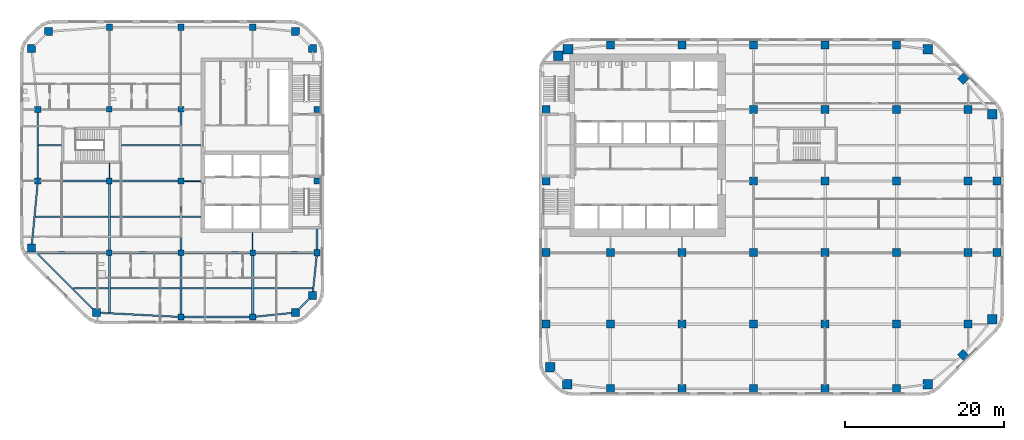
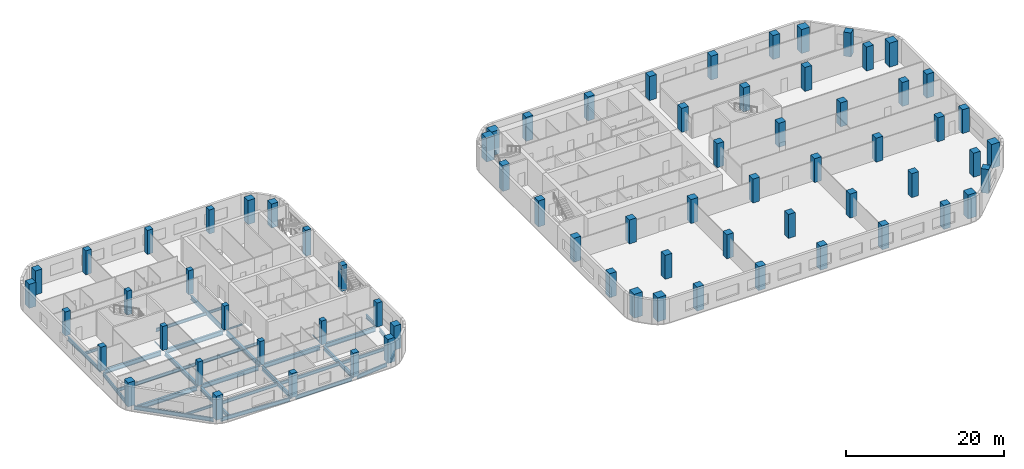
# One storey, part 1 of 15: 71 columns, 34 beams.
"""IFC4 building model written with IfcOpenShell, lengths in metres."""

from ifc_helpers import new_model, si_unit, direction, frame, origin, origin_2d, place, context, subcontext, project, spatial, rectangle, i_section, extrude, material, material_profile, profile_set, type_object, element, save


model = new_model("IFC4")

# Units and contexts
model_context = context("Model", 3, precision=1e-05, world=origin(), true_north=direction((0.0, 1.0)))
body_context = subcontext(model_context, "Body", "Model", "MODEL_VIEW")
ifc_project = project(units=[si_unit("LENGTHUNIT", "METRE"), si_unit("AREAUNIT", "SQUARE_METRE"), si_unit("VOLUMEUNIT", "CUBIC_METRE"), si_unit("PLANEANGLEUNIT", "RADIAN"), si_unit("MASSUNIT", "GRAM", prefix="KILO")], contexts=[model_context])

# Site, building, storey
site_placement = place(None, origin())
site = spatial("IfcSite", under=ifc_project, at=site_placement, CompositionType="ELEMENT")
building_placement = place(site_placement, origin())
building = spatial("IfcBuilding", under=site, at=building_placement, Name="Cinnabar Reach Civic Tower", CompositionType="ELEMENT")
storey_placement = place(building_placement, frame((0.0, 0.0, 91.0)))
storey = spatial("IfcBuildingStorey", under=building, at=storey_placement, Name="L21", CompositionType="ELEMENT", Elevation=91.0)

# Columns
ifc_material_1 = material(Name="Concrete C70", Category="concrete")
ifc_material_profile_1 = material_profile(ifc_material_1, rectangle(XDim=1.0, YDim=1.0, at=origin_2d()), Name="RC1000")
ifc_profile_set_1 = profile_set([ifc_material_profile_1], Name="Concrete C70")
column_type_1 = type_object("IfcColumnType", Name="RC1000 column R 180", PredefinedType="COLUMN", material=ifc_profile_set_1)
for number, where, z_axis, x_axis, name in (
    (1, (-55.6481, 10.4531, 0.0), (0.0, 0.0, 1.0), (1.0, 0.0, 0.0), "Column T2-Z2-CC0"),
    (2, (-30.6019, 10.4531, 0.0), (0.0, 0.0, 1.0), (1.0, 0.0, 0.0), "Column T2-Z2-CC1"),
    (3, (-28.4531, 12.6019, 0.0), (0.0, 0.0, 1.0), (1.0, 0.0, 0.0), "Column T2-Z2-CC2"),
    (4, (-28.4531, 43.6481, 0.0), (0.0, 0.0, 1.0), (1.0, 0.0, 0.0), "Column T2-Z2-CC3"),
    (5, (-30.6019, 45.7969, 0.0), (0.0, 0.0, 1.0), (1.0, 0.0, 0.0), "Column T2-Z2-CC4"),
    (6, (-61.6481, 45.7969, 0.0), (0.0, 0.0, 1.0), (1.0, 0.0, 0.0), "Column T2-Z2-CC5"),
    (7, (-63.7969, 43.6481, 0.0), (0.0, 0.0, 1.0), (1.0, 0.0, 0.0), "Column T2-Z2-CC6"),
    (8, (-63.7969, 18.6019, 0.0), (0.0, 0.0, 1.0), (1.0, 0.0, 0.0), "Column T2-Z2-CC7"),
):
    element("IfcColumn", number, at=place(storey_placement, frame(where, z_axis=z_axis, x_axis=x_axis)), inside=storey, type_object=column_type_1, Name=name, PredefinedType="COLUMN", context=body_context, shape_type="SweptSolid", body=[
        extrude(rectangle(XDim=1.0, YDim=1.0, at=origin_2d()), origin(), (0.0, 0.0, 1.0), 3.7),
    ])
ifc_material_profile_2 = material_profile(ifc_material_1, rectangle(XDim=1.0, YDim=1.0, at=origin_2d()), Name="RC1000")
ifc_profile_set_2 = profile_set([ifc_material_profile_2], Name="Concrete C70")
column_type_2 = type_object("IfcColumnType", Name="RC1000 column R 240", PredefinedType="COLUMN", material=ifc_profile_set_2)
for number, where, z_axis, x_axis, name in (
    (9, (9.0, 0.9, 0.0), (0.0, 0.0, 1.0), (1.0, 0.0, 0.0), "Column T1-Z1-F0-1"),
    (10, (18.0, 0.9, 0.0), (0.0, 0.0, 1.0), (1.0, 0.0, 0.0), "Column T1-Z1-F0-2"),
    (11, (27.0, 0.9, 0.0), (0.0, 0.0, 1.0), (1.0, 0.0, 0.0), "Column T1-Z1-F0-3"),
    (12, (36.0, 0.9, 0.0), (0.0, 0.0, 1.0), (1.0, 0.0, 0.0), "Column T1-Z1-F0-4"),
    (13, (45.0, 0.9, 0.0), (0.0, 0.0, 1.0), (1.0, 0.0, 0.0), "Column T1-Z1-F0-5"),
    (14, (53.3636, 5.1364, 0.0), (0.0, 0.0, 1.0), (0.707106781187, 0.707106781187, 0.0), "Column T1-Z1-F1-M"),
    (15, (57.6, 18.0, 0.0), (0.0, 0.0, 1.0), (1.0, 0.0, 0.0), "Column T1-Z1-F2-2"),
    (16, (57.6, 27.0, 0.0), (0.0, 0.0, 1.0), (1.0, 0.0, 0.0), "Column T1-Z1-F2-3"),
    (17, (53.3636, 39.8636, 0.0), (0.0, 0.0, 1.0), (0.707106781187, 0.707106781187, 0.0), "Column T1-Z1-F3-M"),
    (18, (9.0, 44.1, 0.0), (0.0, 0.0, 1.0), (1.0, 0.0, 0.0), "Column T1-Z1-F4-1"),
    (19, (18.0, 44.1, 0.0), (0.0, 0.0, 1.0), (1.0, 0.0, 0.0), "Column T1-Z1-F4-2"),
    (20, (27.0, 44.1, 0.0), (0.0, 0.0, 1.0), (1.0, 0.0, 0.0), "Column T1-Z1-F4-3"),
    (21, (36.0, 44.1, 0.0), (0.0, 0.0, 1.0), (1.0, 0.0, 0.0), "Column T1-Z1-F4-4"),
    (22, (45.0, 44.1, 0.0), (0.0, 0.0, 1.0), (1.0, 0.0, 0.0), "Column T1-Z1-F4-5"),
    (23, (0.9, 9.0, 0.0), (0.0, 0.0, 1.0), (1.0, 0.0, 0.0), "Column T1-Z1-F6-1"),
    (24, (0.9, 18.0, 0.0), (0.0, 0.0, 1.0), (1.0, 0.0, 0.0), "Column T1-Z1-F6-2"),
):
    element("IfcColumn", number, at=place(storey_placement, frame(where, z_axis=z_axis, x_axis=x_axis)), inside=storey, type_object=column_type_2, Name=name, PredefinedType="COLUMN", context=body_context, shape_type="SweptSolid", body=[
        extrude(rectangle(XDim=1.0, YDim=1.0, at=origin_2d()), origin(), (0.0, 0.0, 1.0), 3.7),
    ])
for number, where, z_axis, x_axis, name in (
    (25, (0.9, 27.0, 0.0), (0.0, 0.0, 1.0), (1.0, 0.0, 0.0), "Column T1-Z1-F6-3"),
    (26, (0.9, 36.0, 0.0), (0.0, 0.0, 1.0), (1.0, 0.0, 0.0), "Column T1-Z1-F6-4"),
):
    element("IfcColumn", number, at=place(storey_placement, frame(where, z_axis=z_axis, x_axis=x_axis)), inside=storey, type_object=column_type_2, Name=name, PredefinedType="COLUMN", context=body_context, shape_type="SweptSolid", body=[
        extrude(rectangle(XDim=1.0, YDim=1.0, at=origin_2d()), origin(), (0.0, 0.0, 1.0), 4.0),
    ])
for number, where, z_axis, x_axis, name in (
    (27, (9.0, 9.0, 0.0), (0.0, 0.0, 1.0), (1.0, 0.0, 0.0), "Column T1-Z1-I9_9"),
    (28, (9.0, 18.0, 0.0), (0.0, 0.0, 1.0), (1.0, 0.0, 0.0), "Column T1-Z1-I9_18"),
    (29, (18.0, 9.0, 0.0), (0.0, 0.0, 1.0), (1.0, 0.0, 0.0), "Column T1-Z1-I18_9"),
    (30, (18.0, 18.0, 0.0), (0.0, 0.0, 1.0), (1.0, 0.0, 0.0), "Column T1-Z1-I18_18"),
    (31, (27.0, 9.0, 0.0), (0.0, 0.0, 1.0), (1.0, 0.0, 0.0), "Column T1-Z1-I27_9"),
    (32, (27.0, 18.0, 0.0), (0.0, 0.0, 1.0), (1.0, 0.0, 0.0), "Column T1-Z1-I27_18"),
    (33, (27.0, 27.0, 0.0), (0.0, 0.0, 1.0), (1.0, 0.0, 0.0), "Column T1-Z1-I27_27"),
    (34, (27.0, 36.0, 0.0), (0.0, 0.0, 1.0), (1.0, 0.0, 0.0), "Column T1-Z1-I27_36"),
    (35, (36.0, 9.0, 0.0), (0.0, 0.0, 1.0), (1.0, 0.0, 0.0), "Column T1-Z1-I36_9"),
    (36, (36.0, 18.0, 0.0), (0.0, 0.0, 1.0), (1.0, 0.0, 0.0), "Column T1-Z1-I36_18"),
    (37, (36.0, 27.0, 0.0), (0.0, 0.0, 1.0), (1.0, 0.0, 0.0), "Column T1-Z1-I36_27"),
    (38, (36.0, 36.0, 0.0), (0.0, 0.0, 1.0), (1.0, 0.0, 0.0), "Column T1-Z1-I36_36"),
    (39, (45.0, 9.0, 0.0), (0.0, 0.0, 1.0), (1.0, 0.0, 0.0), "Column T1-Z1-I45_9"),
    (40, (45.0, 18.0, 0.0), (0.0, 0.0, 1.0), (1.0, 0.0, 0.0), "Column T1-Z1-I45_18"),
    (41, (45.0, 27.0, 0.0), (0.0, 0.0, 1.0), (1.0, 0.0, 0.0), "Column T1-Z1-I45_27"),
    (42, (45.0, 36.0, 0.0), (0.0, 0.0, 1.0), (1.0, 0.0, 0.0), "Column T1-Z1-I45_36"),
    (43, (54.0, 9.0, 0.0), (0.0, 0.0, 1.0), (1.0, 0.0, 0.0), "Column T1-Z1-I54_9"),
    (44, (54.0, 18.0, 0.0), (0.0, 0.0, 1.0), (1.0, 0.0, 0.0), "Column T1-Z1-I54_18"),
    (45, (54.0, 27.0, 0.0), (0.0, 0.0, 1.0), (1.0, 0.0, 0.0), "Column T1-Z1-I54_27"),
    (46, (54.0, 36.0, 0.0), (0.0, 0.0, 1.0), (1.0, 0.0, 0.0), "Column T1-Z1-I54_36"),
):
    element("IfcColumn", number, at=place(storey_placement, frame(where, z_axis=z_axis, x_axis=x_axis)), inside=storey, type_object=column_type_2, Name=name, PredefinedType="COLUMN", context=body_context, shape_type="SweptSolid", body=[
        extrude(rectangle(XDim=1.0, YDim=1.0, at=origin_2d()), origin(), (0.0, 0.0, 1.0), 3.7),
    ])
ifc_material_2 = material(Name="Concrete C80", Category="concrete")
ifc_material_profile_3 = material_profile(ifc_material_2, rectangle(XDim=1.2, YDim=1.2, at=origin_2d()), Name="RC1200")
ifc_profile_set_3 = profile_set([ifc_material_profile_3], Name="Concrete C80")
column_type_3 = type_object("IfcColumnType", Name="RC1200 column R 240", PredefinedType="COLUMN", material=ifc_profile_set_3)
for number, where, z_axis, x_axis, name in (
    (47, (3.6019, 1.4531, 0.0), (0.0, 0.0, 1.0), (1.0, 0.0, 0.0), "Column T1-Z1-CC0"),
    (48, (48.8981, 1.4531, 0.0), (0.0, 0.0, 1.0), (1.0, 0.0, 0.0), "Column T1-Z1-CC1"),
    (49, (57.0469, 9.6019, 0.0), (0.0, 0.0, 1.0), (1.0, 0.0, 0.0), "Column T1-Z1-CC2"),
    (50, (57.0469, 35.3981, 0.0), (0.0, 0.0, 1.0), (1.0, 0.0, 0.0), "Column T1-Z1-CC3"),
    (51, (48.8981, 43.5469, 0.0), (0.0, 0.0, 1.0), (1.0, 0.0, 0.0), "Column T1-Z1-CC4"),
    (52, (3.6666, 43.5737, 0.0), (0.0, 0.0, 1.0), (1.0, 0.0, 0.0), "Column T1-Z1-CC5"),
    (53, (2.4631, 42.75, 0.0), (0.0, 0.0, 1.0), (1.0, 0.0, 0.0), "Column T1-Z1-CC6"),
    (54, (1.4531, 3.6019, 0.0), (0.0, 0.0, 1.0), (1.0, 0.0, 0.0), "Column T1-Z1-CC7"),
):
    element("IfcColumn", number, at=place(storey_placement, frame(where, z_axis=z_axis, x_axis=x_axis)), inside=storey, type_object=column_type_3, Name=name, PredefinedType="COLUMN", context=body_context, shape_type="SweptSolid", body=[
        extrude(rectangle(XDim=1.2, YDim=1.2, at=origin_2d()), origin(), (0.0, 0.0, 1.0), 3.7),
    ])
ifc_material_3 = material(Name="Concrete C60", Category="concrete")
ifc_material_profile_4 = material_profile(ifc_material_3, rectangle(XDim=0.7, YDim=0.7, at=origin_2d()), Name="RC700")
ifc_profile_set_4 = profile_set([ifc_material_profile_4], Name="Concrete C60")
column_type_4 = type_object("IfcColumnType", Name="RC700 column R 180", PredefinedType="COLUMN", material=ifc_profile_set_4)
for number, where, z_axis, x_axis, name in (
    (55, (-54.0, 18.0, 0.0), (0.0, 0.0, 1.0), (1.0, 0.0, 0.0), "Column T2-Z2-I-54_18"),
    (56, (-54.0, 27.0, 0.0), (0.0, 0.0, 1.0), (1.0, 0.0, 0.0), "Column T2-Z2-I-54_27"),
    (57, (-54.0, 36.0, 0.0), (0.0, 0.0, 1.0), (1.0, 0.0, 0.0), "Column T2-Z2-I-54_36"),
    (58, (-45.0, 18.0, 0.0), (0.0, 0.0, 1.0), (1.0, 0.0, 0.0), "Column T2-Z2-I-45_18"),
    (59, (-45.0, 27.0, 0.0), (0.0, 0.0, 1.0), (1.0, 0.0, 0.0), "Column T2-Z2-I-45_27"),
    (60, (-45.0, 36.0, 0.0), (0.0, 0.0, 1.0), (1.0, 0.0, 0.0), "Column T2-Z2-I-45_36"),
    (61, (-36.0, 18.0, 0.0), (0.0, 0.0, 1.0), (1.0, 0.0, 0.0), "Column T2-Z2-I-36_18"),
):
    element("IfcColumn", number, at=place(storey_placement, frame(where, z_axis=z_axis, x_axis=x_axis)), inside=storey, type_object=column_type_4, Name=name, PredefinedType="COLUMN", context=body_context, shape_type="SweptSolid", body=[
        extrude(rectangle(XDim=0.7, YDim=0.7, at=origin_2d()), origin(), (0.0, 0.0, 1.0), 3.7),
    ])
ifc_material_profile_5 = material_profile(ifc_material_3, rectangle(XDim=0.8, YDim=0.8, at=origin_2d()), Name="RC800")
ifc_profile_set_5 = profile_set([ifc_material_profile_5], Name="Concrete C60")
column_type_5 = type_object("IfcColumnType", Name="RC800 column R 180", PredefinedType="COLUMN", material=ifc_profile_set_5)
for number, where, z_axis, x_axis, name in (
    (62, (-45.0, 9.9, 0.0), (0.0, 0.0, 1.0), (1.0, 0.0, 0.0), "Column T2-Z2-F0--5"),
    (63, (-36.0, 9.9, 0.0), (0.0, 0.0, 1.0), (1.0, 0.0, 0.0), "Column T2-Z2-F0--4"),
    (64, (-27.9, 18.0, 0.0), (0.0, 0.0, 1.0), (1.0, 0.0, 0.0), "Column T2-Z2-F2-2"),
):
    element("IfcColumn", number, at=place(storey_placement, frame(where, z_axis=z_axis, x_axis=x_axis)), inside=storey, type_object=column_type_5, Name=name, PredefinedType="COLUMN", context=body_context, shape_type="SweptSolid", body=[
        extrude(rectangle(XDim=0.8, YDim=0.8, at=origin_2d()), origin(), (0.0, 0.0, 1.0), 3.7),
    ])
for number, where, z_axis, x_axis, name in (
    (65, (-27.9, 27.0, 0.0), (0.0, 0.0, 1.0), (1.0, 0.0, 0.0), "Column T2-Z2-F2-3"),
    (66, (-27.9, 36.0, 0.0), (0.0, 0.0, 1.0), (1.0, 0.0, 0.0), "Column T2-Z2-F2-4"),
):
    element("IfcColumn", number, at=place(storey_placement, frame(where, z_axis=z_axis, x_axis=x_axis)), inside=storey, type_object=column_type_5, Name=name, PredefinedType="COLUMN", context=body_context, shape_type="SweptSolid", body=[
        extrude(rectangle(XDim=0.8, YDim=0.8, at=origin_2d()), origin(), (0.0, 0.0, 1.0), 4.0),
    ])
for number, where, z_axis, x_axis, name in (
    (67, (-54.0, 46.35, 0.0), (0.0, 0.0, 1.0), (1.0, 0.0, 0.0), "Column T2-Z2-F4--6"),
    (68, (-45.0, 46.35, 0.0), (0.0, 0.0, 1.0), (1.0, 0.0, 0.0), "Column T2-Z2-F4--5"),
    (69, (-36.0, 46.35, 0.0), (0.0, 0.0, 1.0), (1.0, 0.0, 0.0), "Column T2-Z2-F4--4"),
    (70, (-63.0, 27.0, 0.0), (0.0, 0.0, 1.0), (1.0, 0.0, 0.0), "Column T2-Z2-F6-3"),
    (71, (-63.0, 36.0, 0.0), (0.0, 0.0, 1.0), (1.0, 0.0, 0.0), "Column T2-Z2-F6-4"),
):
    element("IfcColumn", number, at=place(storey_placement, frame(where, z_axis=z_axis, x_axis=x_axis)), inside=storey, type_object=column_type_5, Name=name, PredefinedType="COLUMN", context=body_context, shape_type="SweptSolid", body=[
        extrude(rectangle(XDim=0.8, YDim=0.8, at=origin_2d()), origin(), (0.0, 0.0, 1.0), 3.7),
    ])

# Beams
ifc_material_4 = material(Name="Steel Q355B", Category="steel")
ifc_material_profile_6 = material_profile(ifc_material_4, i_section(OverallWidth=0.302, OverallDepth=0.594, WebThickness=0.014, FlangeThickness=0.023, FilletRadius=0.016, at=origin_2d()), Name="HM594x302x14x23")
ifc_profile_set_6 = profile_set([ifc_material_profile_6], Name="Steel Q355B")
beam_type_1 = type_object("IfcBeamType", Name="HM594x302x14x23 beam R 120", PredefinedType="BEAM", material=ifc_profile_set_6)
beam_1_placement = place(storey_placement, frame((-54.0, 10.4696, -0.447), z_axis=(0.0, 1.0, 0.0), x_axis=(-1.0, 0.0, 0.0)))
element("IfcBeam", 72, at=beam_1_placement, inside=storey, type_object=beam_type_1, Name="Girder T2 L21 1", PredefinedType="BEAM", context=body_context, shape_type="SweptSolid", body=[
    extrude(i_section(OverallWidth=0.302, OverallDepth=0.594, WebThickness=0.014, FlangeThickness=0.023, FilletRadius=0.016, at=origin_2d()), origin(), (0.0, 0.0, 1.0), 7.1784),
])
beam_2_placement = place(storey_placement, frame((-54.0, 18.352, -0.447), z_axis=(0.0, 1.0, 0.0), x_axis=(-1.0, 0.0, 0.0)))
element("IfcBeam", 73, at=beam_2_placement, inside=storey, type_object=beam_type_1, Name="Girder T2 L21 2", PredefinedType="BEAM", context=body_context, shape_type="SweptSolid", body=[
    extrude(i_section(OverallWidth=0.302, OverallDepth=0.594, WebThickness=0.014, FlangeThickness=0.023, FilletRadius=0.016, at=origin_2d()), origin(), (0.0, 0.0, 1.0), 8.296),
])
beam_3_placement = place(storey_placement, frame((-45.0, 10.302, -0.447), z_axis=(0.0, 1.0, 0.0), x_axis=(-1.0, 0.0, 0.0)))
element("IfcBeam", 74, at=beam_3_placement, inside=storey, type_object=beam_type_1, Name="Girder T2 L21 6", PredefinedType="BEAM", context=body_context, shape_type="SweptSolid", body=[
    extrude(i_section(OverallWidth=0.302, OverallDepth=0.594, WebThickness=0.014, FlangeThickness=0.023, FilletRadius=0.016, at=origin_2d()), origin(), (0.0, 0.0, 1.0), 7.346),
])
for number, where, z_axis, x_axis, name in (
    (75, (-45.0, 18.352, -0.447), (0.0, 1.0, 0.0), (-1.0, 0.0, 0.0), "Girder T2 L21 7"),
    (76, (-45.0, 27.352, -0.447), (0.0, 1.0, 0.0), (-1.0, 0.0, 0.0), "Girder T2 L21 8"),
):
    element("IfcBeam", number, at=place(storey_placement, frame(where, z_axis=z_axis, x_axis=x_axis)), inside=storey, type_object=beam_type_1, Name=name, PredefinedType="BEAM", context=body_context, shape_type="SweptSolid", body=[
        extrude(i_section(OverallWidth=0.302, OverallDepth=0.594, WebThickness=0.014, FlangeThickness=0.023, FilletRadius=0.016, at=origin_2d()), origin(), (0.0, 0.0, 1.0), 8.296),
    ])
beam_4_placement = place(storey_placement, frame((-36.0, 10.302, -0.447), z_axis=(0.0, 1.0, 0.0), x_axis=(-1.0, 0.0, 0.0)))
element("IfcBeam", 77, at=beam_4_placement, inside=storey, type_object=beam_type_1, Name="Girder T2 L21 10", PredefinedType="BEAM", context=body_context, shape_type="SweptSolid", body=[
    extrude(i_section(OverallWidth=0.302, OverallDepth=0.594, WebThickness=0.014, FlangeThickness=0.023, FilletRadius=0.016, at=origin_2d()), origin(), (0.0, 0.0, 1.0), 7.346),
])
ifc_material_profile_7 = material_profile(ifc_material_4, i_section(OverallWidth=0.099, OverallDepth=0.198, WebThickness=0.0045, FlangeThickness=0.007, FilletRadius=0.013, at=origin_2d()), Name="HN200x100x5.5x8")
ifc_profile_set_7 = profile_set([ifc_material_profile_7], Name="Steel Q355B")
beam_type_2 = type_object("IfcBeamType", Name="HN200x100x5.5x8 beam R 120", PredefinedType="BEAM", material=ifc_profile_set_7)
beam_5_placement = place(storey_placement, frame((-54.0, 27.352, -0.249), z_axis=(0.0, 1.0, 0.0), x_axis=(-1.0, 0.0, 0.0)))
element("IfcBeam", 78, at=beam_5_placement, inside=storey, type_object=beam_type_2, Name="Girder T2 L21 3", PredefinedType="BEAM", context=body_context, shape_type="SweptSolid", body=[
    extrude(i_section(OverallWidth=0.099, OverallDepth=0.198, WebThickness=0.0045, FlangeThickness=0.007, FilletRadius=0.013, at=origin_2d()), origin(), (0.0, 0.0, 1.0), 1.896),
])
beam_6_placement = place(storey_placement, frame((-36.0, 18.352, -0.249), z_axis=(0.0, 1.0, 0.0), x_axis=(-1.0, 0.0, 0.0)))
element("IfcBeam", 79, at=beam_6_placement, inside=storey, type_object=beam_type_2, Name="Girder T2 L21 11", PredefinedType="BEAM", context=body_context, shape_type="SweptSolid", body=[
    extrude(i_section(OverallWidth=0.099, OverallDepth=0.198, WebThickness=0.0045, FlangeThickness=0.007, FilletRadius=0.013, at=origin_2d()), origin(), (0.0, 0.0, 1.0), 2.146),
])
ifc_material_profile_8 = material_profile(ifc_material_4, i_section(OverallWidth=0.124, OverallDepth=0.248, WebThickness=0.005, FlangeThickness=0.008, FilletRadius=0.013, at=origin_2d()), Name="HN250x125x6x9")
ifc_profile_set_8 = profile_set([ifc_material_profile_8], Name="Steel Q355B")
beam_type_3 = type_object("IfcBeamType", Name="HN250x125x6x9 beam R 120", PredefinedType="BEAM", material=ifc_profile_set_8)
beam_7_placement = place(storey_placement, frame((-44.648, 27.0, -0.274), z_axis=(1.0, 0.0, 0.0), x_axis=(0.0, 1.0, 0.0)))
element("IfcBeam", 80, at=beam_7_placement, inside=storey, type_object=beam_type_3, Name="Girder T2 L21 7", PredefinedType="BEAM", context=body_context, shape_type="SweptSolid", body=[
    extrude(i_section(OverallWidth=0.124, OverallDepth=0.248, WebThickness=0.005, FlangeThickness=0.008, FilletRadius=0.013, at=origin_2d()), origin(), (0.0, 0.0, 1.0), 2.146),
])
ifc_material_profile_9 = material_profile(ifc_material_4, i_section(OverallWidth=0.199, OverallDepth=0.396, WebThickness=0.007, FlangeThickness=0.011, FilletRadius=0.013, at=origin_2d()), Name="HN396x199x7x11")
ifc_profile_set_9 = profile_set([ifc_material_profile_9], Name="Steel Q355B")
beam_type_4 = type_object("IfcBeamType", Name="HN396x199x7x11 beam R 120", PredefinedType="BEAM", material=ifc_profile_set_9)
beam_8_placement = place(storey_placement, frame((-58.5508, 13.5, -0.348), z_axis=(1.0, 0.0, 0.0), x_axis=(0.0, 1.0, 0.0)))
element("IfcBeam", 81, at=beam_8_placement, inside=storey, type_object=beam_type_4, Name="Secondary beam T2 L21 1", PredefinedType="BEAM", context=body_context, shape_type="SweptSolid", body=[
    extrude(i_section(OverallWidth=0.199, OverallDepth=0.396, WebThickness=0.007, FlangeThickness=0.011, FilletRadius=0.013, at=origin_2d()), origin(), (0.0, 0.0, 1.0), 4.3978),
])
beam_9_placement = place(storey_placement, frame((-44.847, 22.5, -0.348), z_axis=(1.0, 0.0, 0.0), x_axis=(0.0, 1.0, 0.0)))
element("IfcBeam", 82, at=beam_9_placement, inside=storey, type_object=beam_type_4, Name="Secondary beam T2 L21 7", PredefinedType="BEAM", context=body_context, shape_type="SweptSolid", body=[
    extrude(i_section(OverallWidth=0.199, OverallDepth=0.396, WebThickness=0.007, FlangeThickness=0.011, FilletRadius=0.013, at=origin_2d()), origin(), (0.0, 0.0, 1.0), 2.345),
])
beam_10_placement = place(storey_placement, frame((-62.898, 31.5, -0.348), z_axis=(1.0, 0.0, 0.0), x_axis=(0.0, 1.0, 0.0)))
element("IfcBeam", 83, at=beam_10_placement, inside=storey, type_object=beam_type_4, Name="Secondary beam T2 L21 8", PredefinedType="BEAM", context=body_context, shape_type="SweptSolid", body=[
    extrude(i_section(OverallWidth=0.199, OverallDepth=0.396, WebThickness=0.007, FlangeThickness=0.011, FilletRadius=0.013, at=origin_2d()), origin(), (0.0, 0.0, 1.0), 2.896),
])
beam_11_placement = place(storey_placement, frame((-44.847, 31.5, -0.348), z_axis=(1.0, 0.0, 0.0), x_axis=(0.0, 1.0, 0.0)))
element("IfcBeam", 84, at=beam_11_placement, inside=storey, type_object=beam_type_4, Name="Secondary beam T2 L21 10", PredefinedType="BEAM", context=body_context, shape_type="SweptSolid", body=[
    extrude(i_section(OverallWidth=0.199, OverallDepth=0.396, WebThickness=0.007, FlangeThickness=0.011, FilletRadius=0.013, at=origin_2d()), origin(), (0.0, 0.0, 1.0), 2.345),
])
ifc_material_profile_10 = material_profile(ifc_material_4, i_section(OverallWidth=0.199, OverallDepth=0.496, WebThickness=0.009, FlangeThickness=0.014, FilletRadius=0.016, at=origin_2d()), Name="HN496x199x9x14")
ifc_profile_set_10 = profile_set([ifc_material_profile_10], Name="Steel Q355B")
beam_type_5 = type_object("IfcBeamType", Name="HN496x199x9x14 beam R 120", PredefinedType="BEAM", material=ifc_profile_set_10)
for number, where, z_axis, x_axis, name in (
    (85, (-53.847, 13.5, -0.398), (1.0, 0.0, 0.0), (0.0, 1.0, 0.0), "Secondary beam T2 L21 2"),
    (86, (-44.847, 13.5, -0.398), (1.0, 0.0, 0.0), (0.0, 1.0, 0.0), "Secondary beam T2 L21 3"),
):
    element("IfcBeam", number, at=place(storey_placement, frame(where, z_axis=z_axis, x_axis=x_axis)), inside=storey, type_object=beam_type_5, Name=name, PredefinedType="BEAM", context=body_context, shape_type="SweptSolid", body=[
        extrude(i_section(OverallWidth=0.199, OverallDepth=0.496, WebThickness=0.009, FlangeThickness=0.014, FilletRadius=0.016, at=origin_2d()), origin(), (0.0, 0.0, 1.0), 8.694),
    ])
beam_12_placement = place(storey_placement, frame((-35.847, 13.5, -0.398), z_axis=(1.0, 0.0, 0.0), x_axis=(0.0, 1.0, 0.0)))
element("IfcBeam", 87, at=beam_12_placement, inside=storey, type_object=beam_type_5, Name="Secondary beam T2 L21 4", PredefinedType="BEAM", context=body_context, shape_type="SweptSolid", body=[
    extrude(i_section(OverallWidth=0.199, OverallDepth=0.496, WebThickness=0.009, FlangeThickness=0.014, FilletRadius=0.016, at=origin_2d()), origin(), (0.0, 0.0, 1.0), 7.3834),
])
beam_13_placement = place(storey_placement, frame((-63.3245, 22.5, -0.398), z_axis=(1.0, 0.0, 0.0), x_axis=(0.0, 1.0, 0.0)))
element("IfcBeam", 88, at=beam_13_placement, inside=storey, type_object=beam_type_5, Name="Secondary beam T2 L21 5", PredefinedType="BEAM", context=body_context, shape_type="SweptSolid", body=[
    extrude(i_section(OverallWidth=0.199, OverallDepth=0.496, WebThickness=0.009, FlangeThickness=0.014, FilletRadius=0.016, at=origin_2d()), origin(), (0.0, 0.0, 1.0), 9.1715),
])
beam_14_placement = place(storey_placement, frame((-53.847, 22.5, -0.398), z_axis=(1.0, 0.0, 0.0), x_axis=(0.0, 1.0, 0.0)))
element("IfcBeam", 89, at=beam_14_placement, inside=storey, type_object=beam_type_5, Name="Secondary beam T2 L21 6", PredefinedType="BEAM", context=body_context, shape_type="SweptSolid", body=[
    extrude(i_section(OverallWidth=0.199, OverallDepth=0.496, WebThickness=0.009, FlangeThickness=0.014, FilletRadius=0.016, at=origin_2d()), origin(), (0.0, 0.0, 1.0), 8.694),
])
beam_15_placement = place(storey_placement, frame((-52.498, 31.5, -0.398), z_axis=(1.0, 0.0, 0.0), x_axis=(0.0, 1.0, 0.0)))
element("IfcBeam", 90, at=beam_15_placement, inside=storey, type_object=beam_type_5, Name="Secondary beam T2 L21 9", PredefinedType="BEAM", context=body_context, shape_type="SweptSolid", body=[
    extrude(i_section(OverallWidth=0.199, OverallDepth=0.496, WebThickness=0.009, FlangeThickness=0.014, FilletRadius=0.016, at=origin_2d()), origin(), (0.0, 0.0, 1.0), 7.345),
])
ifc_material_profile_11 = material_profile(ifc_material_4, i_section(OverallWidth=0.2, OverallDepth=0.6, WebThickness=0.011, FlangeThickness=0.017, FilletRadius=0.016, at=origin_2d()), Name="HN600x200x11x17")
ifc_profile_set_11 = profile_set([ifc_material_profile_11], Name="Steel Q355B")
beam_type_6 = type_object("IfcBeamType", Name="HN600x200x11x17 beam R 120", PredefinedType="BEAM", material=ifc_profile_set_11)
beam_16_placement = place(storey_placement, frame((-55.2661, 10.4333, -0.45), z_axis=(0.998653533726, -0.051876001934, 0.0), x_axis=(0.051876001934, 0.998653533726, 0.0)))
element("IfcBeam", 91, at=beam_16_placement, inside=storey, type_object=beam_type_6, Name="Edge beam T2 L21 1", PredefinedType="BEAM", context=body_context, shape_type="SweptSolid", body=[
    extrude(i_section(OverallWidth=0.2, OverallDepth=0.6, WebThickness=0.011, FlangeThickness=0.017, FilletRadius=0.016, at=origin_2d()), origin(), (0.0, 0.0, 1.0), 9.8774),
])
beam_17_placement = place(storey_placement, frame((-44.598, 9.9, -0.45), z_axis=(1.0, 0.0, 0.0), x_axis=(0.0, 1.0, 0.0)))
element("IfcBeam", 92, at=beam_17_placement, inside=storey, type_object=beam_type_6, Name="Edge beam T2 L21 2", PredefinedType="BEAM", context=body_context, shape_type="SweptSolid", body=[
    extrude(i_section(OverallWidth=0.2, OverallDepth=0.6, WebThickness=0.011, FlangeThickness=0.017, FilletRadius=0.016, at=origin_2d()), origin(), (0.0, 0.0, 1.0), 8.196),
])
beam_18_placement = place(storey_placement, frame((-35.598, 9.9412, -0.45), z_axis=(0.994791084875, 0.101934770579, 0.0), x_axis=(-0.101934770579, 0.994791084875, 0.0)))
element("IfcBeam", 93, at=beam_18_placement, inside=storey, type_object=beam_type_6, Name="Edge beam T2 L21 3", PredefinedType="BEAM", context=body_context, shape_type="SweptSolid", body=[
    extrude(i_section(OverallWidth=0.2, OverallDepth=0.6, WebThickness=0.011, FlangeThickness=0.017, FilletRadius=0.016, at=origin_2d()), origin(), (0.0, 0.0, 1.0), 4.6383),
])
beam_19_placement = place(storey_placement, frame((-30.2199, 10.8351, -0.45), z_axis=(0.707106781187, 0.707106781187, 0.0), x_axis=(-0.707106781187, 0.707106781187, 0.0)))
element("IfcBeam", 94, at=beam_19_placement, inside=storey, type_object=beam_type_6, Name="Edge beam T2 L21 4", PredefinedType="BEAM", context=body_context, shape_type="SweptSolid", body=[
    extrude(i_section(OverallWidth=0.2, OverallDepth=0.6, WebThickness=0.011, FlangeThickness=0.017, FilletRadius=0.016, at=origin_2d()), origin(), (0.0, 0.0, 1.0), 1.9584),
])
beam_20_placement = place(storey_placement, frame((-28.414, 12.9839, -0.45), z_axis=(0.101934770579, 0.994791084875, 0.0), x_axis=(-0.994791084875, 0.101934770579, 0.0)))
element("IfcBeam", 95, at=beam_20_placement, inside=storey, type_object=beam_type_6, Name="Edge beam T2 L21 5", PredefinedType="BEAM", context=body_context, shape_type="SweptSolid", body=[
    extrude(i_section(OverallWidth=0.2, OverallDepth=0.6, WebThickness=0.011, FlangeThickness=0.017, FilletRadius=0.016, at=origin_2d()), origin(), (0.0, 0.0, 1.0), 4.6383),
])
beam_21_placement = place(storey_placement, frame((-27.9, 18.402, -0.45), z_axis=(0.0, 1.0, 0.0), x_axis=(-1.0, 0.0, 0.0)))
element("IfcBeam", 96, at=beam_21_placement, inside=storey, type_object=beam_type_6, Name="Edge beam T2 L21 6", PredefinedType="BEAM", context=body_context, shape_type="SweptSolid", body=[
    extrude(i_section(OverallWidth=0.2, OverallDepth=0.6, WebThickness=0.011, FlangeThickness=0.017, FilletRadius=0.016, at=origin_2d()), origin(), (0.0, 0.0, 1.0), 2.596),
])
beam_22_placement = place(storey_placement, frame((-63.0, 35.598, -0.45), z_axis=(0.0, -1.0, 0.0), x_axis=(1.0, 0.0, 0.0)))
element("IfcBeam", 97, at=beam_22_placement, inside=storey, type_object=beam_type_6, Name="Edge beam T2 L21 16", PredefinedType="BEAM", context=body_context, shape_type="SweptSolid", body=[
    extrude(i_section(OverallWidth=0.2, OverallDepth=0.6, WebThickness=0.011, FlangeThickness=0.017, FilletRadius=0.016, at=origin_2d()), origin(), (0.0, 0.0, 1.0), 8.196),
])
beam_23_placement = place(storey_placement, frame((-63.0381, 26.598, -0.45), z_axis=(-0.094478368886, -0.99552691466, 0.0), x_axis=(0.99552691466, -0.094478368886, 0.0)))
element("IfcBeam", 98, at=beam_23_placement, inside=storey, type_object=beam_type_6, Name="Edge beam T2 L21 17", PredefinedType="BEAM", context=body_context, shape_type="SweptSolid", body=[
    extrude(i_section(OverallWidth=0.2, OverallDepth=0.6, WebThickness=0.011, FlangeThickness=0.017, FilletRadius=0.016, at=origin_2d()), origin(), (0.0, 0.0, 1.0), 7.6483),
])
beam_24_placement = place(storey_placement, frame((-63.4149, 18.2199, -0.45), z_axis=(0.707106781187, -0.707106781187, 0.0), x_axis=(0.707106781187, 0.707106781187, 0.0)))
element("IfcBeam", 99, at=beam_24_placement, inside=storey, type_object=beam_type_6, Name="Edge beam T2 L21 18", PredefinedType="BEAM", context=body_context, shape_type="SweptSolid", body=[
    extrude(i_section(OverallWidth=0.2, OverallDepth=0.6, WebThickness=0.011, FlangeThickness=0.017, FilletRadius=0.016, at=origin_2d()), origin(), (0.0, 0.0, 1.0), 10.4437),
])
ifc_material_profile_12 = material_profile(ifc_material_4, i_section(OverallWidth=0.3, OverallDepth=0.692, WebThickness=0.013, FlangeThickness=0.02, FilletRadius=0.016, at=origin_2d()), Name="HN692x300x13x20")
ifc_profile_set_12 = profile_set([ifc_material_profile_12], Name="Steel Q355B")
beam_type_7 = type_object("IfcBeamType", Name="HN692x300x13x20 beam R 120", PredefinedType="BEAM", material=ifc_profile_set_12)
beam_25_placement = place(storey_placement, frame((-63.0508, 18.0, -0.496), z_axis=(1.0, 0.0, 0.0), x_axis=(0.0, 1.0, 0.0)))
element("IfcBeam", 100, at=beam_25_placement, inside=storey, type_object=beam_type_7, Name="Girder T2 L21 1", PredefinedType="BEAM", context=body_context, shape_type="SweptSolid", body=[
    extrude(i_section(OverallWidth=0.3, OverallDepth=0.692, WebThickness=0.013, FlangeThickness=0.02, FilletRadius=0.016, at=origin_2d()), origin(), (0.0, 0.0, 1.0), 8.6988),
])
for number, where, z_axis, x_axis, name in (
    (101, (-53.648, 18.0, -0.496), (1.0, 0.0, 0.0), (0.0, 1.0, 0.0), "Girder T2 L21 2"),
    (102, (-44.648, 18.0, -0.496), (1.0, 0.0, 0.0), (0.0, 1.0, 0.0), "Girder T2 L21 3"),
):
    element("IfcBeam", number, at=place(storey_placement, frame(where, z_axis=z_axis, x_axis=x_axis)), inside=storey, type_object=beam_type_7, Name=name, PredefinedType="BEAM", context=body_context, shape_type="SweptSolid", body=[
        extrude(i_section(OverallWidth=0.3, OverallDepth=0.692, WebThickness=0.013, FlangeThickness=0.02, FilletRadius=0.016, at=origin_2d()), origin(), (0.0, 0.0, 1.0), 8.296),
    ])
beam_26_placement = place(storey_placement, frame((-35.648, 18.0, -0.496), z_axis=(1.0, 0.0, 0.0), x_axis=(0.0, 1.0, 0.0)))
element("IfcBeam", 103, at=beam_26_placement, inside=storey, type_object=beam_type_7, Name="Girder T2 L21 4", PredefinedType="BEAM", context=body_context, shape_type="SweptSolid", body=[
    extrude(i_section(OverallWidth=0.3, OverallDepth=0.692, WebThickness=0.013, FlangeThickness=0.02, FilletRadius=0.016, at=origin_2d()), origin(), (0.0, 0.0, 1.0), 7.346),
])
beam_27_placement = place(storey_placement, frame((-62.598, 27.0, -0.496), z_axis=(1.0, 0.0, 0.0), x_axis=(0.0, 1.0, 0.0)))
element("IfcBeam", 104, at=beam_27_placement, inside=storey, type_object=beam_type_7, Name="Girder T2 L21 5", PredefinedType="BEAM", context=body_context, shape_type="SweptSolid", body=[
    extrude(i_section(OverallWidth=0.3, OverallDepth=0.692, WebThickness=0.013, FlangeThickness=0.02, FilletRadius=0.016, at=origin_2d()), origin(), (0.0, 0.0, 1.0), 8.246),
])
beam_28_placement = place(storey_placement, frame((-53.648, 27.0, -0.496), z_axis=(1.0, 0.0, 0.0), x_axis=(0.0, 1.0, 0.0)))
element("IfcBeam", 105, at=beam_28_placement, inside=storey, type_object=beam_type_7, Name="Girder T2 L21 6", PredefinedType="BEAM", context=body_context, shape_type="SweptSolid", body=[
    extrude(i_section(OverallWidth=0.3, OverallDepth=0.692, WebThickness=0.013, FlangeThickness=0.02, FilletRadius=0.016, at=origin_2d()), origin(), (0.0, 0.0, 1.0), 8.296),
])

save(model, "model.ifc")
